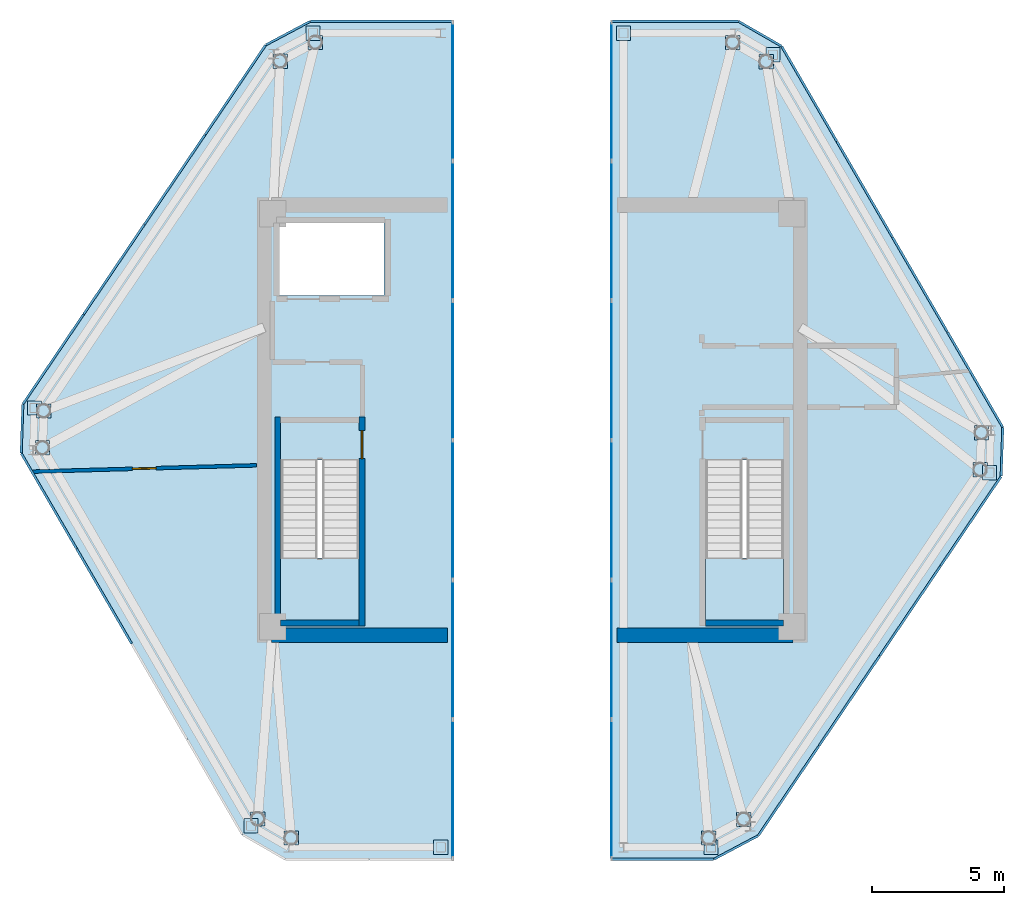
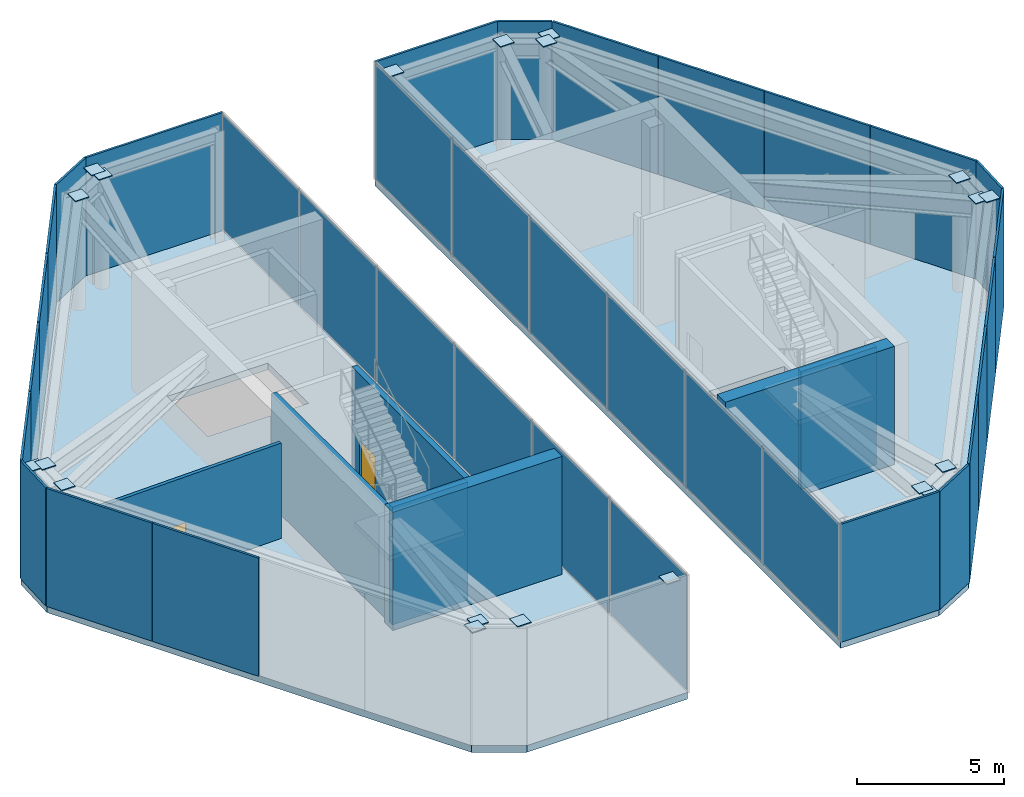
# One storey, part 6 of 8: 54 plates, 7 walls, 4 slabs, 2 doors, 2 openings, 4 elements without a shape of their own.
"""IFC4 building model written with IfcOpenShell, lengths in metres."""

from ifc_helpers import new_model, si_unit, direction, frame, frame_2d, origin, origin_2d, place, context, subcontext, project, spatial, polyline, rectangle, outline, extrude, source, transform, mapped, material, layer, layer_set, type_object, type_shapes, element, fill, aggregate, save


model = new_model("IFC4")

# Units and contexts
model_context = context("Model", 3, precision=1e-05, world=origin(), true_north=direction((0.0, 1.0)))
body_context = subcontext(model_context, "Body", "Model", "MODEL_VIEW")
ifc_project = project(units=[si_unit("LENGTHUNIT", "METRE"), si_unit("AREAUNIT", "SQUARE_METRE"), si_unit("VOLUMEUNIT", "CUBIC_METRE"), si_unit("PLANEANGLEUNIT", "RADIAN"), si_unit("MASSUNIT", "GRAM", prefix="KILO")], contexts=[model_context])

# Site, building, storey
site_placement = place(None, origin())
site = spatial("IfcSite", under=ifc_project, at=site_placement, CompositionType="ELEMENT")
building_placement = place(site_placement, origin())
building = spatial("IfcBuilding", under=site, at=building_placement, Name="Durnholm Broadcast Tower", CompositionType="ELEMENT")
storey_placement = place(building_placement, frame((0.0, 0.0, 282.10009765625)))
storey = spatial("IfcBuildingStorey", under=building, at=storey_placement, Name="L78", CompositionType="ELEMENT", Elevation=282.10009765625)

# Slabs
ifc_material_1 = material(Name="Concrete C50/60", Category="concrete")
ifc_layer_1 = layer(ifc_material_1, 0.280029296875)
ifc_layer_set_1 = layer_set([ifc_layer_1], Name="Concrete C50/60")
slab_type_1 = type_object("IfcSlabType", Name="SLAB-FLR-280", PredefinedType="FLOOR", material=ifc_layer_set_1)
slab_1_placement = place(storey_placement, frame((0.0, 0.0, -0.280029296875)))
element("IfcSlab", 1, at=slab_1_placement, inside=storey, type_object=slab_type_1, Name="L78 west split-crown plant floor slab", PredefinedType="FLOOR", context=body_context, shape_type="SweptSolid", body=[
    extrude(outline(polyline([(-10.946044921875, -15.648193359375), (-9.317626953125, -16.5859375), (-3.0, -16.5859375), (-3.0, 15.06201171875), (-8.386962890625, 15.06201171875), (-10.06591796875, 14.17041015625), (-19.238037109375, 0.603271484375), (-19.3017578125, -1.25048828125), (-10.946044921875, -15.648193359375)]), holes=[polyline([(-9.5, -1.5), (-9.5, -7.550048828125), (-6.5400390625, -7.550048828125), (-6.5400390625, -1.5), (-9.5, -1.5)]), polyline([(-9.550048828125, 7.449951171875), (-9.550048828125, 4.699951171875), (-5.60009765625, 4.699951171875), (-5.60009765625, 7.449951171875), (-9.550048828125, 7.449951171875)])]), origin(), (0.0, 0.0, 1.0), 0.280029296875),
])
slab_2_placement = place(storey_placement, frame((0.0, 0.0, -0.280029296875)))
element("IfcSlab", 2, at=slab_2_placement, inside=storey, type_object=slab_type_1, Name="L78 east split-crown plant floor slab", PredefinedType="FLOOR", context=body_context, shape_type="SweptSolid", body=[
    extrude(outline(polyline([(3.0, 15.06201171875), (3.0, -16.5859375), (6.863037109375, -16.5859375), (8.5419921875, -15.6943359375), (17.714111328125, -2.127197265625), (17.777587890625, -0.273681640625), (9.422119140625, 14.124267578125), (7.793701171875, 15.06201171875), (3.0, 15.06201171875)]), holes=[polyline([(9.5, -1.5), (6.5400390625, -1.5), (6.5400390625, -7.550048828125), (9.5, -7.550048828125), (9.5, -1.5)])]), origin(), (0.0, 0.0, 1.0), 0.280029296875),
])

# Stair, slab
stair_type = type_object("IfcStairType", Name="STAIR-DL-28R1750", PredefinedType="HALF_TURN_STAIR", material=ifc_material_1)
stair_1_placement = place(storey_placement, origin())
stair_1 = element("IfcStair", 3, at=stair_1_placement, inside=storey, type_object=stair_type, Name="L78 ST-1", PredefinedType="HALF_TURN_STAIR")
ifc_layer_2 = layer(ifc_material_1, 0.199951171875)
ifc_layer_set_2 = layer_set([ifc_layer_2], Name="Concrete C50/60")
slab_type_2 = type_object("IfcSlabType", Name="SLAB-LND-200", PredefinedType="LANDING", material=ifc_layer_set_2)
slab_3_placement = place(storey_placement, frame((0.0, 0.0, 2.25)))
slab_3 = element("IfcSlab", 4, at=slab_3_placement, type_object=slab_type_2, Name="ST-1 landing 1", PredefinedType="LANDING", context=body_context, shape_type="SweptSolid", body=[
    extrude(outline(polyline([(-9.5, -5.205078125), (-9.5, -7.550048828125), (-6.5400390625, -7.550048828125), (-6.5400390625, -5.205078125), (-9.5, -5.205078125)])), origin(), (0.0, 0.0, 1.0), 0.199951171875),
])
aggregate(stair_1, [slab_3])

stair_2_placement = place(storey_placement, origin())
stair_2 = element("IfcStair", 5, at=stair_2_placement, inside=storey, type_object=stair_type, Name="L78 ST-2", PredefinedType="HALF_TURN_STAIR")
slab_4_placement = place(storey_placement, frame((0.0, 0.0, 2.25)))
slab_4 = element("IfcSlab", 6, at=slab_4_placement, type_object=slab_type_2, Name="ST-2 landing 1", PredefinedType="LANDING", context=body_context, shape_type="SweptSolid", body=[
    extrude(outline(polyline([(6.5400390625, -5.205078125), (6.5400390625, -7.550048828125), (9.5, -7.550048828125), (9.5, -5.205078125), (6.5400390625, -5.205078125)])), origin(), (0.0, 0.0, 1.0), 0.199951171875),
])
aggregate(stair_2, [slab_4])

# Plates
ifc_material_2 = material(Name="Steel ASTM A572 Grade 50", Category="steel")
ifc_layer_3 = layer(ifc_material_2, 0.0400390625)
ifc_layer_set_3 = layer_set([ifc_layer_3], Name="Steel ASTM A572 Grade 50")
plate_type_1 = type_object("IfcPlateType", Name="PLT-KN-CAP", PredefinedType="USERDEFINED", material=ifc_layer_set_3)
shared_shape_1 = source(origin(), body_context, "Body", "SweptSolid", [
    extrude(rectangle(XDim=0.5400390625, YDim=0.5400390625, at=origin_2d()), origin(), (0.0, 0.0, 1.0), 0.0400390625),
])
type_shapes(plate_type_1, [shared_shape_1])
for number, where, z_axis, x_axis, name in (
    (7, (-10.361328125, -15.061767578125, 4.599853515625), (0.0, 0.0, 1.0), (1.0, 0.0, 0.0), "L78 hollow section end cap plate COL-TUBE-L78-01 2"),
    (8, (-18.494384765625, -1.0478515625, 4.599853515625), (0.0, 0.0, 1.0), (1.0, 0.0, 0.0), "L78 hollow section end cap plate COL-TUBE-L78-02 2"),
    (9, (-18.4462890625, 0.345947265625, 4.599853515625), (0.0, 0.0, 1.0), (1.0, 0.0, 0.0), "L78 hollow section end cap plate COL-TUBE-L78-03 2"),
    (10, (-9.514892578125, 13.557373046875, 4.599853515625), (0.0, 0.0, 1.0), (1.0, 0.0, 0.0), "L78 hollow section end cap plate COL-TUBE-L78-04 2"),
    (11, (-8.187744140625, 14.261962890625, 4.599853515625), (0.0, 0.0, 1.0), (1.0, 0.0, 0.0), "L78 hollow section end cap plate COL-TUBE-L78-05 2"),
    (12, (7.57958984375, 14.261962890625, 4.599853515625), (0.0, 0.0, 1.0), (1.0, 0.0, 0.0), "L78 hollow section end cap plate COL-TUBE-L78-06 2"),
    (13, (8.83740234375, 13.53759765625, 4.599853515625), (0.0, 0.0, 1.0), (1.0, 0.0, 0.0), "L78 hollow section end cap plate COL-TUBE-L78-07 2"),
    (14, (16.97021484375, -0.47607421875, 4.599853515625), (0.0, 0.0, 1.0), (1.0, 0.0, 0.0), "L78 hollow section end cap plate COL-TUBE-L78-08 2"),
    (15, (16.92236328125, -1.869873046875, 4.599853515625), (0.0, 0.0, 1.0), (1.0, 0.0, 0.0), "L78 hollow section end cap plate COL-TUBE-L78-09 2"),
    (16, (7.990966796875, -15.081298828125, 4.599853515625), (0.0, 0.0, 1.0), (1.0, 0.0, 0.0), "L78 hollow section end cap plate COL-TUBE-L78-10 2"),
    (17, (6.663818359375, -15.785888671875, 4.599853515625), (0.0, 0.0, 1.0), (1.0, 0.0, 0.0), "L78 hollow section end cap plate COL-TUBE-L78-11 2"),
    (18, (-9.103759765625, -15.785888671875, 4.599853515625), (0.0, 0.0, 1.0), (1.0, 0.0, 0.0), "L78 hollow section end cap plate COL-TUBE-L78-12 2"),
    (19, (-10.6171875, -15.318359375, 4.599853515625), (0.0, 0.0, 1.0), (1.0, 0.0, 0.0), "L78 hollow section end cap plate CF-POST-L78-W-1 2"),
    (20, (-3.449951171875, -16.135986328125, 4.599853515625), (0.0, 0.0, 1.0), (1.0, 0.0, 0.0), "L78 hollow section end cap plate CF-POST-L78-W-3 2"),
    (21, (-8.27490234375, 14.612060546875, 4.599853515625), (0.0, 0.0, 1.0), (1.0, 0.0, 0.0), "L78 hollow section end cap plate CF-POST-L78-W-5 2"),
    (22, (-18.792724609375, 0.45849609375, 4.599853515625), (0.0, 0.0, 1.0), (1.0, 0.0, 0.0), "L78 hollow section end cap plate CF-POST-L78-W-7 2"),
    (23, (3.449951171875, 14.612060546875, 4.599853515625), (0.0, 0.0, 1.0), (1.0, 0.0, 0.0), "L78 hollow section end cap plate CF-POST-L78-E-1 2"),
    (24, (6.7509765625, -16.135986328125, 4.599853515625), (0.0, 0.0, 1.0), (1.0, 0.0, 0.0), "L78 hollow section end cap plate CF-POST-L78-E-3 2"),
    (25, (17.268798828125, -1.982421875, 4.599853515625), (0.0, 0.0, 1.0), (1.0, 0.0, 0.0), "L78 hollow section end cap plate CF-POST-L78-E-5 2"),
    (26, (9.09326171875, 13.794189453125, 4.599853515625), (0.0, 0.0, 1.0), (1.0, 0.0, 0.0), "L78 hollow section end cap plate CF-POST-L78-E-7 2"),
):
    element("IfcPlate", number, at=place(storey_placement, frame(where, z_axis=z_axis, x_axis=x_axis)), inside=storey, type_object=plate_type_1, Name=name, ObjectType="CAP_PLATE", PredefinedType="USERDEFINED", context=body_context, shape_type="MappedRepresentation", body=[
        mapped(shared_shape_1, transform((0.0, 0.0, 0.0), x_axis=(1.0, 0.0, 0.0), y_axis=(0.0, 1.0, 0.0), z_axis=(0.0, 0.0, 1.0), scale=1.0)),
    ])
ifc_material_3 = material(Name="Anodised Architectural Aluminium Louvre Screen", Category="aluminium")
ifc_layer_4 = layer(ifc_material_3, 0.0849609375)
ifc_layer_set_4 = layer_set([ifc_layer_4], Name="Anodised Architectural Aluminium Louvre Screen")
plate_type_2 = type_object("IfcPlateType", Name="PLT-CROWN-SCR", PredefinedType="USERDEFINED", material=ifc_layer_set_4)
shared_shape_2 = source(origin(), body_context, "Body", "SweptSolid", [
    extrude(rectangle(XDim=1.834716796875, YDim=0.0849609375, at=origin_2d()), origin(), (0.0, 0.0, 1.0), 4.89990234375),
])
for number, where, z_axis, x_axis, name in (
    (27, (-19.27001953125, -0.323486328125, 0.0), (0.0, 0.0, 1.0), (0.034376212129, 0.999408963358, 0.0), "L78 mechanical louvre screen panel SCR-L78-W-1.1"),
    (28, (17.745849609375, -1.200439453125, 0.0), (0.0, 0.0, 1.0), (-0.034376212129, -0.999408963358, 0.0), "L78 mechanical louvre screen panel SCR-L78-E-3.1"),
):
    element("IfcPlate", number, at=place(storey_placement, frame(where, z_axis=z_axis, x_axis=x_axis)), inside=storey, type_object=plate_type_2, Name=name, ObjectType="SCREEN", PredefinedType="USERDEFINED", context=body_context, shape_type="MappedRepresentation", body=[
        mapped(shared_shape_2, transform((0.0, 0.0, 0.0), x_axis=(1.0, 0.0, 0.0), y_axis=(0.0, 1.0, 0.0), z_axis=(0.0, 0.0, 1.0), scale=1.0)),
    ])
shared_shape_3 = source(origin(), body_context, "Body", "SweptSolid", [
    extrude(rectangle(XDim=4.07421875, YDim=0.0849609375, at=origin_2d()), origin(), (0.0, 0.0, 1.0), 4.89990234375),
])
for number, where, z_axis, x_axis, name in (
    (29, (-18.091552734375, 2.29931640625, 0.0), (0.0, 0.0, 1.0), (0.560060762816, 0.828451532652, 0.0), "L78 mechanical louvre screen panel SCR-L78-W-2.1"),
    (30, (-15.798583984375, 5.69091796875, 0.0), (0.0, 0.0, 1.0), (0.560060762816, 0.828451532652, 0.0), "L78 mechanical louvre screen panel SCR-L78-W-2.2"),
    (31, (-13.505615234375, 9.082763671875, 0.0), (0.0, 0.0, 1.0), (0.560060762816, 0.828451532652, 0.0), "L78 mechanical louvre screen panel SCR-L78-W-2.3"),
    (32, (-11.21240234375, 12.474609375, 0.0), (0.0, 0.0, 1.0), (0.560060762816, 0.828451532652, 0.0), "L78 mechanical louvre screen panel SCR-L78-W-2.4"),
    (33, (16.567626953125, -3.8232421875, 0.0), (0.0, 0.0, 1.0), (-0.560060762816, -0.828451532652, 0.0), "L78 mechanical louvre screen panel SCR-L78-E-4.1"),
    (34, (14.274658203125, -7.215087890625, 0.0), (0.0, 0.0, 1.0), (-0.560060762816, -0.828451532652, 0.0), "L78 mechanical louvre screen panel SCR-L78-E-4.2"),
    (35, (11.9814453125, -10.606689453125, 0.0), (0.0, 0.0, 1.0), (-0.560060762816, -0.828451532652, 0.0), "L78 mechanical louvre screen panel SCR-L78-E-4.3"),
    (36, (9.6884765625, -13.99853515625, 0.0), (0.0, 0.0, 1.0), (-0.560060762816, -0.828451532652, 0.0), "L78 mechanical louvre screen panel SCR-L78-E-4.4"),
):
    element("IfcPlate", number, at=place(storey_placement, frame(where, z_axis=z_axis, x_axis=x_axis)), inside=storey, type_object=plate_type_2, Name=name, ObjectType="SCREEN", PredefinedType="USERDEFINED", context=body_context, shape_type="MappedRepresentation", body=[
        mapped(shared_shape_3, transform((0.0, 0.0, 0.0), x_axis=(1.0, 0.0, 0.0), y_axis=(0.0, 1.0, 0.0), z_axis=(0.0, 0.0, 1.0), scale=1.0)),
    ])
shared_shape_4 = source(origin(), body_context, "Body", "SweptSolid", [
    extrude(rectangle(XDim=1.881103515625, YDim=0.0849609375, at=origin_2d()), origin(), (0.0, 0.0, 1.0), 4.89990234375),
])
for number, where, z_axis, x_axis, name in (
    (37, (-9.2265625, 14.6162109375, 0.0), (0.0, 0.0, 1.0), (0.883193286551, 0.469009188174, 0.0), "L78 mechanical louvre screen panel SCR-L78-W-3.1"),
    (38, (7.702392578125, -16.14013671875, 0.0), (0.0, 0.0, 1.0), (-0.883193286551, -0.469009188174, 0.0), "L78 mechanical louvre screen panel SCR-L78-E-5.1"),
):
    element("IfcPlate", number, at=place(storey_placement, frame(where, z_axis=z_axis, x_axis=x_axis)), inside=storey, type_object=plate_type_2, Name=name, ObjectType="SCREEN", PredefinedType="USERDEFINED", context=body_context, shape_type="MappedRepresentation", body=[
        mapped(shared_shape_4, transform((0.0, 0.0, 0.0), x_axis=(1.0, 0.0, 0.0), y_axis=(0.0, 1.0, 0.0), z_axis=(0.0, 0.0, 1.0), scale=1.0)),
    ])
shared_shape_5 = source(origin(), body_context, "Body", "SweptSolid", [
    extrude(rectangle(XDim=5.366943359375, YDim=0.0849609375, at=origin_2d()), origin(), (0.0, 0.0, 1.0), 4.89990234375),
])
plate_1_placement = place(storey_placement, frame((-5.693603515625, 15.06201171875, 0.0), z_axis=(0.0, 0.0, 1.0), x_axis=(1.0, 0.0, 0.0)))
element("IfcPlate", 39, at=plate_1_placement, inside=storey, type_object=plate_type_2, Name="L78 mechanical louvre screen panel SCR-L78-W-4.1", ObjectType="SCREEN", PredefinedType="USERDEFINED", context=body_context, shape_type="MappedRepresentation", body=[
    mapped(shared_shape_5, transform((0.0, 0.0, 0.0), x_axis=(1.0, 0.0, 0.0), y_axis=(0.0, 1.0, 0.0), z_axis=(0.0, 0.0, 1.0), scale=1.0)),
])

# Curtain wall, plates
ifc_material_4 = material(Name="Aluminium and Solar Control IGU", Category="aluminium")
ifc_layer_5 = layer(ifc_material_4, 0.1650390625)
ifc_layer_set_5 = layer_set([ifc_layer_5], Name="Aluminium and Solar Control IGU")
curtain_wall_type = type_object("IfcCurtainWallType", Name="CW-SYS-7", PredefinedType="NOTDEFINED", material=ifc_layer_set_5)
curtain_wall_1_placement = place(storey_placement, origin())
curtain_wall_1 = element("IfcCurtainWall", 40, at=curtain_wall_1_placement, inside=storey, type_object=curtain_wall_type, Name="L78 curtain wall CW-CROWN CW-L78-W-5", PredefinedType="NOTDEFINED")
ifc_material_5 = material(Name="Low-E Laminated Insulating Glass", Category="glass")
ifc_layer_6 = layer(ifc_material_5, 0.028076171875)
ifc_layer_set_6 = layer_set([ifc_layer_6], Name="Low-E Laminated Insulating Glass")
plate_type_3 = type_object("IfcPlateType", Name="CW-SYS-7-PNL", PredefinedType="CURTAIN_PANEL", material=ifc_layer_set_6)
shared_shape_6 = source(origin(), body_context, "Body", "SweptSolid", [
    extrude(rectangle(XDim=5.17724609375, YDim=0.028076171875, at=origin_2d()), origin(), (0.0, 0.0, 1.0), 4.77001953125),
])
plate_2_placement = place(storey_placement, frame((-3.0, 12.408447265625, 0.06494140625), z_axis=(0.0, 0.0, 1.0), x_axis=(0.0, -1.0, 0.0)))
plate_2 = element("IfcPlate", 41, at=plate_2_placement, type_object=plate_type_3, Name="CW-CROWN panel 1.1", PredefinedType="CURTAIN_PANEL", context=body_context, shape_type="MappedRepresentation", body=[
    mapped(shared_shape_6, transform((0.0, 0.0, 0.0), x_axis=(1.0, 0.0, 0.0), y_axis=(0.0, 1.0, 0.0), z_axis=(0.0, 0.0, 1.0), scale=1.0)),
])
plate_3_placement = place(storey_placement, frame((-3.0, -13.932373046875, 0.06494140625), z_axis=(0.0, 0.0, 1.0), x_axis=(0.0, -1.0, 0.0)))
plate_3 = element("IfcPlate", 42, at=plate_3_placement, type_object=plate_type_3, Name="CW-CROWN panel 6.1", PredefinedType="CURTAIN_PANEL", context=body_context, shape_type="MappedRepresentation", body=[
    mapped(shared_shape_6, transform((0.0, 0.0, 0.0), x_axis=(1.0, 0.0, 0.0), y_axis=(0.0, 1.0, 0.0), z_axis=(0.0, 0.0, 1.0), scale=1.0)),
])

curtain_wall_2_placement = place(storey_placement, origin())
curtain_wall_2 = element("IfcCurtainWall", 43, at=curtain_wall_2_placement, inside=storey, type_object=curtain_wall_type, Name="L78 curtain wall CW-CROWN CW-L78-E-7", PredefinedType="NOTDEFINED")
plate_4_placement = place(storey_placement, frame((3.0, -13.932373046875, 0.06494140625), z_axis=(0.0, 0.0, 1.0), x_axis=(0.0, 1.0, 0.0)))
plate_4 = element("IfcPlate", 44, at=plate_4_placement, type_object=plate_type_3, Name="CW-CROWN panel 1.1", PredefinedType="CURTAIN_PANEL", context=body_context, shape_type="MappedRepresentation", body=[
    mapped(shared_shape_6, transform((0.0, 0.0, 0.0), x_axis=(1.0, 0.0, 0.0), y_axis=(0.0, 1.0, 0.0), z_axis=(0.0, 0.0, 1.0), scale=1.0)),
])
plate_5_placement = place(storey_placement, frame((3.0, 12.408447265625, 0.06494140625), z_axis=(0.0, 0.0, 1.0), x_axis=(0.0, 1.0, 0.0)))
plate_5 = element("IfcPlate", 45, at=plate_5_placement, type_object=plate_type_3, Name="CW-CROWN panel 6.1", PredefinedType="CURTAIN_PANEL", context=body_context, shape_type="MappedRepresentation", body=[
    mapped(shared_shape_6, transform((0.0, 0.0, 0.0), x_axis=(1.0, 0.0, 0.0), y_axis=(0.0, 1.0, 0.0), z_axis=(0.0, 0.0, 1.0), scale=1.0)),
])

# Plate
shared_shape_7 = source(origin(), body_context, "Body", "SweptSolid", [
    extrude(rectangle(XDim=5.209716796875, YDim=0.028076171875, at=origin_2d()), origin(), (0.0, 0.0, 1.0), 4.77001953125),
])
type_shapes(plate_type_3, [shared_shape_6, shared_shape_7])
plate_6_placement = place(storey_placement, frame((-3.0, 7.14990234375, 0.06494140625), z_axis=(0.0, 0.0, 1.0), x_axis=(0.0, -1.0, 0.0)))
plate_6 = element("IfcPlate", 46, at=plate_6_placement, type_object=plate_type_3, Name="CW-CROWN panel 2.1", PredefinedType="CURTAIN_PANEL", context=body_context, shape_type="MappedRepresentation", body=[
    mapped(shared_shape_7, transform((0.0, 0.0, 0.0), x_axis=(1.0, 0.0, 0.0), y_axis=(0.0, 1.0, 0.0), z_axis=(0.0, 0.0, 1.0), scale=1.0)),
])

plate_7_placement = place(storey_placement, frame((-3.0, 1.875244140625, 0.06494140625), z_axis=(0.0, 0.0, 1.0), x_axis=(0.0, -1.0, 0.0)))
plate_7 = element("IfcPlate", 47, at=plate_7_placement, type_object=plate_type_3, Name="CW-CROWN panel 3.1", PredefinedType="CURTAIN_PANEL", context=body_context, shape_type="MappedRepresentation", body=[
    mapped(shared_shape_7, transform((0.0, 0.0, 0.0), x_axis=(1.0, 0.0, 0.0), y_axis=(0.0, 1.0, 0.0), z_axis=(0.0, 0.0, 1.0), scale=1.0)),
])

plate_8_placement = place(storey_placement, frame((-3.0, -3.3994140625, 0.06494140625), z_axis=(0.0, 0.0, 1.0), x_axis=(0.0, -1.0, 0.0)))
plate_8 = element("IfcPlate", 48, at=plate_8_placement, type_object=plate_type_3, Name="CW-CROWN panel 4.1", PredefinedType="CURTAIN_PANEL", context=body_context, shape_type="MappedRepresentation", body=[
    mapped(shared_shape_7, transform((0.0, 0.0, 0.0), x_axis=(1.0, 0.0, 0.0), y_axis=(0.0, 1.0, 0.0), z_axis=(0.0, 0.0, 1.0), scale=1.0)),
])

plate_9_placement = place(storey_placement, frame((-3.0, -8.674072265625, 0.06494140625), z_axis=(0.0, 0.0, 1.0), x_axis=(0.0, -1.0, 0.0)))
plate_9 = element("IfcPlate", 49, at=plate_9_placement, type_object=plate_type_3, Name="CW-CROWN panel 5.1", PredefinedType="CURTAIN_PANEL", context=body_context, shape_type="MappedRepresentation", body=[
    mapped(shared_shape_7, transform((0.0, 0.0, 0.0), x_axis=(1.0, 0.0, 0.0), y_axis=(0.0, 1.0, 0.0), z_axis=(0.0, 0.0, 1.0), scale=1.0)),
])

aggregate(curtain_wall_1, [plate_2, plate_6, plate_7, plate_8, plate_9, plate_3])

plate_10_placement = place(storey_placement, frame((3.0, -8.674072265625, 0.06494140625), z_axis=(0.0, 0.0, 1.0), x_axis=(0.0, 1.0, 0.0)))
plate_10 = element("IfcPlate", 50, at=plate_10_placement, type_object=plate_type_3, Name="CW-CROWN panel 2.1", PredefinedType="CURTAIN_PANEL", context=body_context, shape_type="MappedRepresentation", body=[
    mapped(shared_shape_7, transform((0.0, 0.0, 0.0), x_axis=(1.0, 0.0, 0.0), y_axis=(0.0, 1.0, 0.0), z_axis=(0.0, 0.0, 1.0), scale=1.0)),
])

plate_11_placement = place(storey_placement, frame((3.0, -3.3994140625, 0.06494140625), z_axis=(0.0, 0.0, 1.0), x_axis=(0.0, 1.0, 0.0)))
plate_11 = element("IfcPlate", 51, at=plate_11_placement, type_object=plate_type_3, Name="CW-CROWN panel 3.1", PredefinedType="CURTAIN_PANEL", context=body_context, shape_type="MappedRepresentation", body=[
    mapped(shared_shape_7, transform((0.0, 0.0, 0.0), x_axis=(1.0, 0.0, 0.0), y_axis=(0.0, 1.0, 0.0), z_axis=(0.0, 0.0, 1.0), scale=1.0)),
])

plate_12_placement = place(storey_placement, frame((3.0, 1.875244140625, 0.06494140625), z_axis=(0.0, 0.0, 1.0), x_axis=(0.0, 1.0, 0.0)))
plate_12 = element("IfcPlate", 52, at=plate_12_placement, type_object=plate_type_3, Name="CW-CROWN panel 4.1", PredefinedType="CURTAIN_PANEL", context=body_context, shape_type="MappedRepresentation", body=[
    mapped(shared_shape_7, transform((0.0, 0.0, 0.0), x_axis=(1.0, 0.0, 0.0), y_axis=(0.0, 1.0, 0.0), z_axis=(0.0, 0.0, 1.0), scale=1.0)),
])

plate_13_placement = place(storey_placement, frame((3.0, 7.14990234375, 0.06494140625), z_axis=(0.0, 0.0, 1.0), x_axis=(0.0, 1.0, 0.0)))
plate_13 = element("IfcPlate", 53, at=plate_13_placement, type_object=plate_type_3, Name="CW-CROWN panel 5.1", PredefinedType="CURTAIN_PANEL", context=body_context, shape_type="MappedRepresentation", body=[
    mapped(shared_shape_7, transform((0.0, 0.0, 0.0), x_axis=(1.0, 0.0, 0.0), y_axis=(0.0, 1.0, 0.0), z_axis=(0.0, 0.0, 1.0), scale=1.0)),
])

aggregate(curtain_wall_2, [plate_4, plate_10, plate_11, plate_12, plate_13, plate_5])

# Plates
shared_shape_8 = source(origin(), body_context, "Body", "SweptSolid", [
    extrude(rectangle(XDim=1.859130859375, YDim=0.0849609375, at=origin_2d()), origin(), (0.0, 0.0, 1.0), 4.89990234375),
])
plate_14_placement = place(storey_placement, frame((8.60791015625, 14.593017578125, 0.0), z_axis=(0.0, 0.0, 1.0), x_axis=(0.866548527613, -0.499092826328, 0.0)))
element("IfcPlate", 54, at=plate_14_placement, inside=storey, type_object=plate_type_2, Name="L78 mechanical louvre screen panel SCR-L78-E-1.1", ObjectType="SCREEN", PredefinedType="USERDEFINED", context=body_context, shape_type="MappedRepresentation", body=[
    mapped(shared_shape_8, transform((0.0, 0.0, 0.0), x_axis=(1.0, 0.0, 0.0), y_axis=(0.0, 1.0, 0.0), z_axis=(0.0, 0.0, 1.0), scale=1.0)),
])
shared_shape_9 = source(origin(), body_context, "Body", "SweptSolid", [
    extrude(rectangle(XDim=4.1416015625, YDim=0.0849609375, at=origin_2d()), origin(), (0.0, 0.0, 1.0), 4.89990234375),
])
for number, where, z_axis, x_axis, name in (
    (55, (-16.168212890625, -6.649658203125, 0.0), (0.0, 0.0, 1.0), (-0.501963660617, 0.864888711581, 0.0), "L78 mechanical louvre screen panel SCR-L78-W-8.3"),
    (56, (-18.257080078125, -3.050048828125, 0.0), (0.0, 0.0, 1.0), (-0.501963660617, 0.864888711581, 0.0), "L78 mechanical louvre screen panel SCR-L78-W-8.4"),
    (57, (10.466552734375, 12.324462890625, 0.0), (0.0, 0.0, 1.0), (0.501963660617, -0.864888711581, 0.0), "L78 mechanical louvre screen panel SCR-L78-E-2.1"),
    (58, (12.555419921875, 8.72509765625, 0.0), (0.0, 0.0, 1.0), (0.501963660617, -0.864888711581, 0.0), "L78 mechanical louvre screen panel SCR-L78-E-2.2"),
    (59, (14.644287109375, 5.12548828125, 0.0), (0.0, 0.0, 1.0), (0.501963660617, -0.864888711581, 0.0), "L78 mechanical louvre screen panel SCR-L78-E-2.3"),
    (60, (16.733154296875, 1.526123046875, 0.0), (0.0, 0.0, 1.0), (0.501963660617, -0.864888711581, 0.0), "L78 mechanical louvre screen panel SCR-L78-E-2.4"),
):
    element("IfcPlate", number, at=place(storey_placement, frame(where, z_axis=z_axis, x_axis=x_axis)), inside=storey, type_object=plate_type_2, Name=name, ObjectType="SCREEN", PredefinedType="USERDEFINED", context=body_context, shape_type="MappedRepresentation", body=[
        mapped(shared_shape_9, transform((0.0, 0.0, 0.0), x_axis=(1.0, 0.0, 0.0), y_axis=(0.0, 1.0, 0.0), z_axis=(0.0, 0.0, 1.0), scale=1.0)),
    ])
shared_shape_10 = source(origin(), body_context, "Body", "SweptSolid", [
    extrude(rectangle(XDim=3.843017578125, YDim=0.0849609375, at=origin_2d()), origin(), (0.0, 0.0, 1.0), 4.89990234375),
])
plate_15_placement = place(storey_placement, frame((4.931396484375, -16.5859375, 0.0), z_axis=(0.0, 0.0, 1.0), x_axis=(-1.0, 0.0, 0.0)))
element("IfcPlate", 61, at=plate_15_placement, inside=storey, type_object=plate_type_2, Name="L78 mechanical louvre screen panel SCR-L78-E-6.1", ObjectType="SCREEN", PredefinedType="USERDEFINED", context=body_context, shape_type="MappedRepresentation", body=[
    mapped(shared_shape_10, transform((0.0, 0.0, 0.0), x_axis=(1.0, 0.0, 0.0), y_axis=(0.0, 1.0, 0.0), z_axis=(0.0, 0.0, 1.0), scale=1.0)),
])
shared_shape_11 = source(origin(), body_context, "Body", "SweptSolid", [
    extrude(rectangle(XDim=4.773681640625, YDim=0.0849609375, at=origin_2d()), origin(), (0.0, 0.0, 1.0), 4.89990234375),
])
type_shapes(plate_type_2, [shared_shape_2, shared_shape_3, shared_shape_4, shared_shape_5, shared_shape_8, shared_shape_9, shared_shape_10, shared_shape_11])
plate_16_placement = place(storey_placement, frame((5.396728515625, 15.06201171875, 0.0), z_axis=(0.0, 0.0, 1.0), x_axis=(1.0, 0.0, 0.0)))
element("IfcPlate", 62, at=plate_16_placement, inside=storey, type_object=plate_type_2, Name="L78 mechanical louvre screen panel SCR-L78-E-8.1", ObjectType="SCREEN", PredefinedType="USERDEFINED", context=body_context, shape_type="MappedRepresentation", body=[
    mapped(shared_shape_11, transform((0.0, 0.0, 0.0), x_axis=(1.0, 0.0, 0.0), y_axis=(0.0, 1.0, 0.0), z_axis=(0.0, 0.0, 1.0), scale=1.0)),
])

# Walls
ifc_material_6 = material(Name="Concrete C70/85", Category="concrete")
ifc_layer_7 = layer(ifc_material_6, 0.550048828125)
ifc_layer_set_7 = layer_set([ifc_layer_7], Name="Concrete C70/85")
wall_type_1 = type_object("IfcWallType", Name="WALL-CW-550", PredefinedType="SHEAR", material=ifc_layer_set_7)
for number, where, z_axis, x_axis, name in (
    (63, (-9.85009765625, -8.125, 0.0), (0.0, 0.0, 1.0), (1.0, 0.0, 0.0), "L78 split-crown core shear wall WCW-SW"),
    (64, (3.199951171875, -8.125, 0.0), (0.0, 0.0, 1.0), (1.0, 0.0, 0.0), "L78 split-crown core shear wall WCW-SE"),
):
    element("IfcWall", number, at=place(storey_placement, frame(where, z_axis=z_axis, x_axis=x_axis)), inside=storey, type_object=wall_type_1, Name=name, PredefinedType="SHEAR", context=body_context, shape_type="SweptSolid", body=[
        extrude(rectangle(XDim=6.650146484375, YDim=0.550048828125, at=frame_2d((3.3251953125, 0.0))), origin(), (0.0, 0.0, 1.0), 4.89990234375),
    ])

# Wall, opening, door
ifc_material_7 = material(Name="Gypsum Metal Stud Partition", Category="concrete")
ifc_layer_8 = layer(ifc_material_7, 0.135009765625)
ifc_layer_set_8 = layer_set([ifc_layer_8], Name="Gypsum Metal Stud Partition")
wall_type_2 = type_object("IfcWallType", Name="WALL-PART-135", PredefinedType="PARTITIONING", material=ifc_layer_set_8)
wall_1_placement = place(storey_placement, frame((-10.405029296875, -1.7080078125, 0.0), z_axis=(0.0, 0.0, 1.0), x_axis=(-0.999607454952, -0.028016709362, 0.0)))
wall_1 = element("IfcWall", 65, at=wall_1_placement, inside=storey, type_object=wall_type_2, Name="L78 room dividing partition 1.2", PredefinedType="PARTITIONING", context=body_context, shape_type="SweptSolid", body=[
    extrude(rectangle(XDim=8.496337890625, YDim=0.135009765625, at=frame_2d((4.248046875, 0.0))), origin(), (0.0, 0.0, 1.0), 3.958740234375),
])
opening_1_placement = place(wall_1_placement, frame((3.798095703125, 0.0, 0.0)))
opening_1 = element("IfcOpeningElement", 66, at=opening_1_placement, cuts=wall_1, Name="Opening DW-90L", PredefinedType="OPENING", context=body_context, shape_type="SweptSolid", body=[
    extrude(rectangle(XDim=0.89990234375, YDim=2.050048828125, at=frame_2d((0.449951171875, 1.02490234375))), frame((0.0, 0.07763671875, 0.0), z_axis=(0.0, -1.0, 0.0), x_axis=(1.0, 0.0, 0.0)), (0.0, 0.0, 1.0), 0.155029296875),
])
ifc_material_8 = material(Name="Laminate Restroom Door", Category="steel")
ifc_layer_9 = layer(ifc_material_8, 0.050048828125)
ifc_layer_set_9 = layer_set([ifc_layer_9], Name="Laminate Restroom Door")
door_type_1 = type_object("IfcDoorType", Name="DOOR-WC-900L", OperationType="NOTDEFINED", PredefinedType="DOOR", material=ifc_layer_set_9)
shared_shape_12 = source(origin(), body_context, "Body", "SweptSolid", [
    extrude(rectangle(XDim=0.89990234375, YDim=2.050048828125, at=frame_2d((0.449951171875, 1.02490234375))), frame((0.0, 0.02490234375, 0.0), z_axis=(0.0, -1.0, 0.0), x_axis=(1.0, 0.0, 0.0)), (0.0, 0.0, 1.0), 0.050048828125),
])
type_shapes(door_type_1, [shared_shape_12])
door_1_placement = place(opening_1_placement, origin())
door_1 = element("IfcDoor", 67, at=door_1_placement, inside=storey, type_object=door_type_1, Name="L78 Crown Air Handling Fan Plant connecting door", OperationType="SINGLE_SWING_LEFT", OverallHeight=2.050048828125, OverallWidth=0.89990234375, PredefinedType="DOOR", context=body_context, shape_type="MappedRepresentation", body=[
    mapped(shared_shape_12, transform((0.0, 0.0, 0.0), x_axis=(1.0, 0.0, 0.0), y_axis=(0.0, 1.0, 0.0), z_axis=(0.0, 0.0, 1.0), scale=1.0)),
])
fill(opening_1, door_1)

ifc_layer_10 = layer(ifc_material_1, 0.219970703125)
ifc_layer_set_10 = layer_set([ifc_layer_10], Name="Concrete C50/60")
wall_type_3 = type_object("IfcWallType", Name="WALL-SW-220", PredefinedType="SHEAR", material=ifc_layer_set_10)
wall_2_placement = place(storey_placement, frame((-6.429931640625, -7.77001953125, -0.280029296875), z_axis=(0.0, 0.0, 1.0), x_axis=(0.0, 1.0, 0.0)))
wall_2 = element("IfcWall", 68, at=wall_2_placement, inside=storey, type_object=wall_type_3, Name="L78 stair ST-1 structural shaft wall E", PredefinedType="SHEAR", context=body_context, shape_type="SweptSolid", body=[
    extrude(rectangle(XDim=7.89013671875, YDim=0.219970703125, at=frame_2d((3.945068359375, 0.0))), origin(), (0.0, 0.0, 1.0), 4.89990234375),
])
opening_2_placement = place(wall_2_placement, frame((6.320068359375, 0.0, 0.0)))
opening_2 = element("IfcOpeningElement", 69, at=opening_2_placement, cuts=wall_2, Name="Opening DS-90L", PredefinedType="OPENING", context=body_context, shape_type="SweptSolid", body=[
    extrude(rectangle(XDim=1.050048828125, YDim=2.14990234375, at=frame_2d((0.52490234375, 1.074951171875))), frame((0.0, 0.1201171875, 0.0), z_axis=(0.0, -1.0, 0.0), x_axis=(1.0, 0.0, 0.0)), (0.0, 0.0, 1.0), 0.239990234375),
])
ifc_material_9 = material(Name="Fire-Rated Steel Door", Category="steel")
ifc_layer_11 = layer(ifc_material_9, 0.050048828125)
ifc_layer_set_11 = layer_set([ifc_layer_11], Name="Fire-Rated Steel Door")
door_type_2 = type_object("IfcDoorType", Name="DOOR-ST-FD90-L", OperationType="NOTDEFINED", PredefinedType="DOOR", material=ifc_layer_set_11)
shared_shape_13 = source(origin(), body_context, "Body", "SweptSolid", [
    extrude(rectangle(XDim=1.050048828125, YDim=2.14990234375, at=frame_2d((0.52490234375, 1.074951171875))), frame((0.0, 0.02490234375, 0.0), z_axis=(0.0, -1.0, 0.0), x_axis=(1.0, 0.0, 0.0)), (0.0, 0.0, 1.0), 0.050048828125),
])
type_shapes(door_type_2, [shared_shape_13])
door_2_placement = place(opening_2_placement, origin())
door_2 = element("IfcDoor", 70, at=door_2_placement, inside=storey, type_object=door_type_2, Name="L78 exit stair ST-1 fire door", OperationType="SINGLE_SWING_LEFT", OverallHeight=2.14990234375, OverallWidth=1.050048828125, PredefinedType="DOOR", context=body_context, shape_type="MappedRepresentation", body=[
    mapped(shared_shape_13, transform((0.0, 0.0, 0.0), x_axis=(1.0, 0.0, 0.0), y_axis=(0.0, 1.0, 0.0), z_axis=(0.0, 0.0, 1.0), scale=1.0)),
])
fill(opening_2, door_2)

# Walls
wall_3_placement = place(storey_placement, frame((-9.610107421875, 0.1201171875, -0.280029296875), z_axis=(0.0, 0.0, 1.0), x_axis=(0.0, -1.0, 0.0)))
element("IfcWall", 71, at=wall_3_placement, inside=storey, type_object=wall_type_3, Name="L78 stair ST-1 structural shaft wall W", PredefinedType="SHEAR", context=body_context, shape_type="SweptSolid", body=[
    extrude(rectangle(XDim=7.89013671875, YDim=0.219970703125, at=frame_2d((3.945068359375, 0.0))), origin(), (0.0, 0.0, 1.0), 4.89990234375),
])
for number, where, z_axis, x_axis, name in (
    (72, (-9.5, -7.659912109375, -0.280029296875), (0.0, 0.0, 1.0), (1.0, 0.0, 0.0), "L78 stair ST-1 structural shaft wall S"),
    (73, (6.5400390625, -7.659912109375, -0.280029296875), (0.0, 0.0, 1.0), (1.0, 0.0, 0.0), "L78 stair ST-2 structural shaft wall S"),
):
    element("IfcWall", number, at=place(storey_placement, frame(where, z_axis=z_axis, x_axis=x_axis)), inside=storey, type_object=wall_type_3, Name=name, PredefinedType="SHEAR", context=body_context, shape_type="SweptSolid", body=[
        extrude(rectangle(XDim=2.9599609375, YDim=0.219970703125, at=frame_2d((1.47998046875, 0.0))), origin(), (0.0, 0.0, 1.0), 4.89990234375),
    ])

save(model, "model.ifc")
